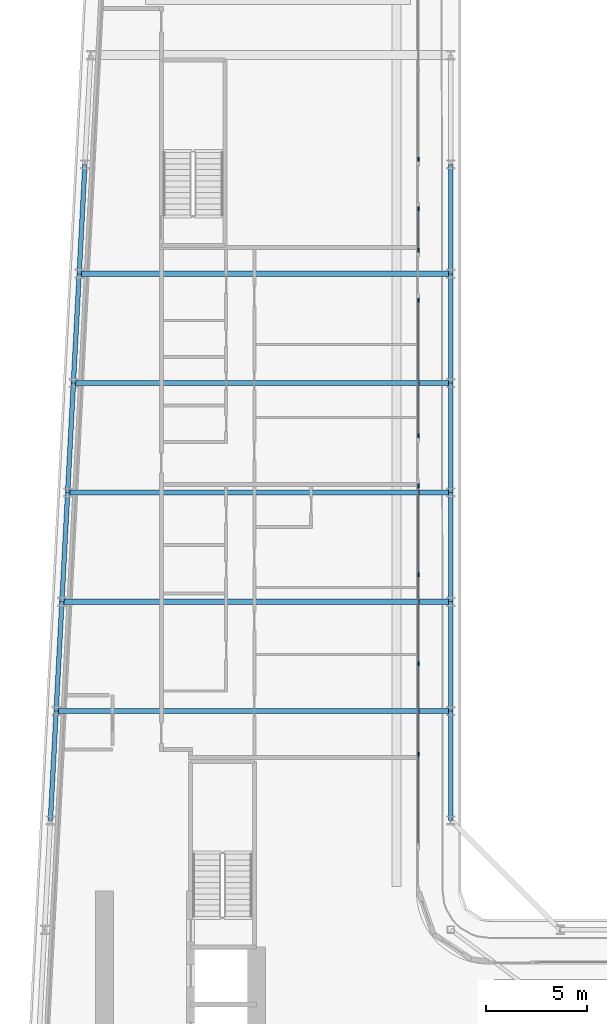
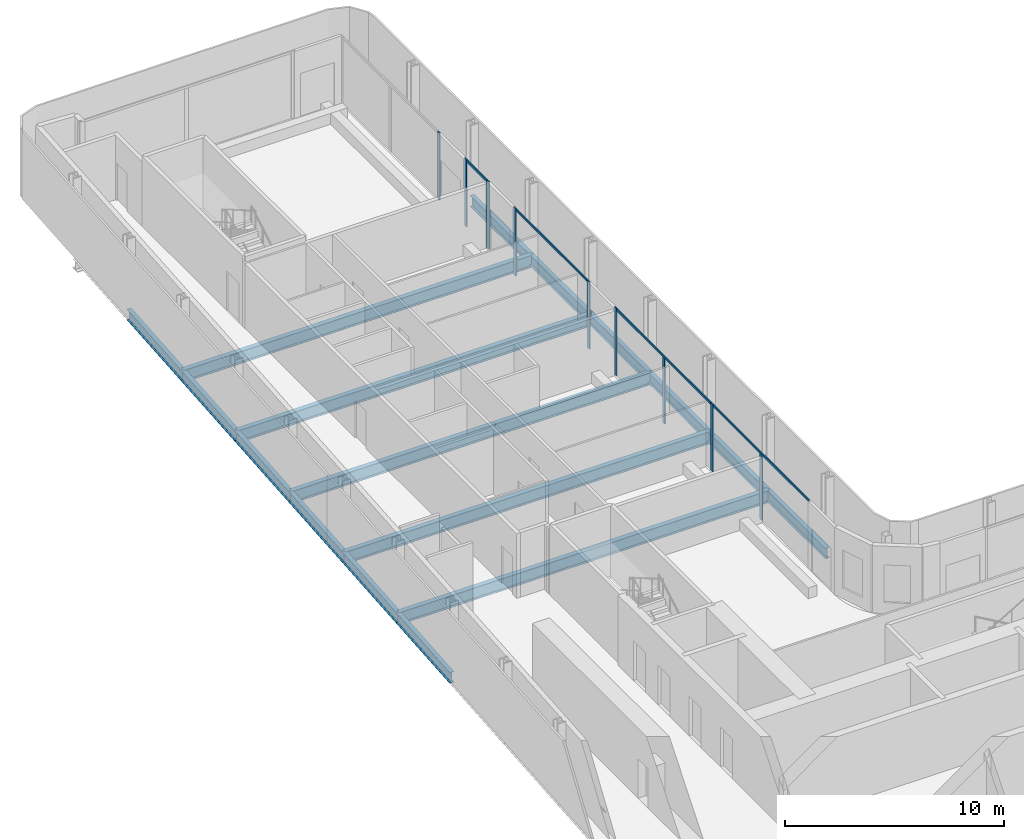
# One storey, part 7 of 26: 17 beams, 13 members, 5 elements without a shape of their own.
"""IFC4 building model written with IfcOpenShell, lengths in metres."""

from ifc_helpers import new_model, si_unit, direction, frame, origin, origin_2d, place, context, subcontext, project, spatial, rectangle, i_section, extrude, material, layer, layer_set, material_profile, profile_set, type_object, element, aggregate, save


model = new_model("IFC4")

# Units and contexts
model_context = context("Model", 3, precision=1e-05, world=origin(), true_north=direction((0.0, 1.0)))
body_context = subcontext(model_context, "Body", "Model", "MODEL_VIEW")
ifc_project = project(units=[si_unit("LENGTHUNIT", "METRE"), si_unit("AREAUNIT", "SQUARE_METRE"), si_unit("VOLUMEUNIT", "CUBIC_METRE"), si_unit("PLANEANGLEUNIT", "RADIAN"), si_unit("MASSUNIT", "GRAM", prefix="KILO")], contexts=[model_context])

# Site, building, storey
site_placement = place(None, origin())
site = spatial("IfcSite", under=ifc_project, at=site_placement, CompositionType="ELEMENT")
building_placement = place(site_placement, origin())
building = spatial("IfcBuilding", under=site, at=building_placement, Name="Kheshtan School and Residences Tower", CompositionType="ELEMENT")
storey_placement = place(building_placement, frame((0.0, 0.0, 105.800048828125)))
storey = spatial("IfcBuildingStorey", under=building, at=storey_placement, Name="L24", CompositionType="ELEMENT", Elevation=105.800048828125)

# Beams
ifc_material_1 = material(Name="Steel ASTM A992 Grade 50", Category="steel")
ifc_material_profile_1 = material_profile(ifc_material_1, i_section(OverallWidth=0.2529296875, OverallDepth=0.677978515625, WebThickness=0.01171875, FlangeThickness=0.016357421875, FilletRadius=0.0146484375, at=origin_2d()), Name="W690x125")
ifc_profile_set_1 = profile_set([ifc_material_profile_1], Name="Steel ASTM A992 Grade 50")
beam_type_1 = type_object("IfcBeamType", Name="Beam FB6 W690x125 ASTM A992 Grade 50", PredefinedType="BEAM", material=ifc_profile_set_1)
beam_1_placement = place(storey_placement, frame((47.60009765625, 78.0, -0.489013671875), z_axis=(-1.0, 0.0, 0.0), x_axis=(0.0, -1.0, 0.0)))
element("IfcBeam", 1, at=beam_1_placement, inside=storey, type_object=beam_type_1, Name="Floor beam C089", PredefinedType="BEAM", context=body_context, shape_type="SweptSolid", body=[
    extrude(i_section(OverallWidth=0.2529296875, OverallDepth=0.677978515625, WebThickness=0.01171875, FlangeThickness=0.016357421875, FilletRadius=0.0146484375, at=origin_2d()), origin(), (0.0, 0.0, 1.0), 18.357177734375),
])
beam_2_placement = place(storey_placement, frame((47.60009765625, 67.199951171875, -0.489013671875), z_axis=(-1.0, 0.0, 0.0), x_axis=(0.0, -1.0, 0.0)))
element("IfcBeam", 2, at=beam_2_placement, inside=storey, type_object=beam_type_1, Name="Floor beam C085", PredefinedType="BEAM", context=body_context, shape_type="SweptSolid", body=[
    extrude(i_section(OverallWidth=0.2529296875, OverallDepth=0.677978515625, WebThickness=0.01171875, FlangeThickness=0.016357421875, FilletRadius=0.0146484375, at=origin_2d()), origin(), (0.0, 0.0, 1.0), 18.926025390625),
])
beam_3_placement = place(storey_placement, frame((47.60009765625, 56.39990234375, -0.489013671875), z_axis=(-1.0, 0.0, 0.0), x_axis=(0.0, -1.0, 0.0)))
element("IfcBeam", 3, at=beam_3_placement, inside=storey, type_object=beam_type_1, Name="Floor beam C081", PredefinedType="BEAM", context=body_context, shape_type="SweptSolid", body=[
    extrude(i_section(OverallWidth=0.2529296875, OverallDepth=0.677978515625, WebThickness=0.01171875, FlangeThickness=0.016357421875, FilletRadius=0.0146484375, at=origin_2d()), origin(), (0.0, 0.0, 1.0), 19.494140625),
])
beam_4_placement = place(storey_placement, frame((28.389892578125, 61.800048828125, -0.489013671875), z_axis=(1.0, 0.0, 0.0), x_axis=(0.0, 1.0, 0.0)))
element("IfcBeam", 4, at=beam_4_placement, inside=storey, type_object=beam_type_1, Name="Floor beam C082", PredefinedType="BEAM", context=body_context, shape_type="SweptSolid", body=[
    extrude(i_section(OverallWidth=0.2529296875, OverallDepth=0.677978515625, WebThickness=0.01171875, FlangeThickness=0.016357421875, FilletRadius=0.0146484375, at=origin_2d()), origin(), (0.0, 0.0, 1.0), 19.210205078125),
])
beam_5_placement = place(storey_placement, frame((28.9580078125, 72.60009765625, -0.489013671875), z_axis=(1.0, 0.0, 0.0), x_axis=(0.0, 1.0, 0.0)))
element("IfcBeam", 5, at=beam_5_placement, inside=storey, type_object=beam_type_1, Name="Floor beam C086", PredefinedType="BEAM", context=body_context, shape_type="SweptSolid", body=[
    extrude(i_section(OverallWidth=0.2529296875, OverallDepth=0.677978515625, WebThickness=0.01171875, FlangeThickness=0.016357421875, FilletRadius=0.0146484375, at=origin_2d()), origin(), (0.0, 0.0, 1.0), 18.64208984375),
])
ifc_material_profile_2 = material_profile(ifc_material_1, i_section(OverallWidth=0.22802734375, OverallDepth=0.60302734375, WebThickness=0.010498046875, FlangeThickness=0.014892578125, FilletRadius=0.013427734375, at=origin_2d()), Name="W610x101")
ifc_profile_set_2 = profile_set([ifc_material_profile_2], Name="Steel ASTM A992 Grade 50")
beam_type_2 = type_object("IfcBeamType", Name="Beam SP2 W610x101 ASTM A992 Grade 50", PredefinedType="BEAM", material=ifc_profile_set_2)
for number, where, z_axis, x_axis, name in (
    (6, (47.60009765625, 83.39990234375, -0.45166015625), (0.0, -1.0, 0.0), (1.0, 0.0, 0.0), "Spandrel beam C091-C089"),
    (7, (47.60009765625, 78.0, -0.45166015625), (0.0, -1.0, 0.0), (1.0, 0.0, 0.0), "Spandrel beam C089-C087"),
):
    element("IfcBeam", number, at=place(storey_placement, frame(where, z_axis=z_axis, x_axis=x_axis)), inside=storey, type_object=beam_type_2, Name=name, PredefinedType="BEAM", context=body_context, shape_type="SweptSolid", body=[
        extrude(i_section(OverallWidth=0.22802734375, OverallDepth=0.60302734375, WebThickness=0.010498046875, FlangeThickness=0.014892578125, FilletRadius=0.013427734375, at=origin_2d()), origin(), (0.0, 0.0, 1.0), 5.39990234375),
    ])
beam_6_placement = place(storey_placement, frame((47.60009765625, 72.60009765625, -0.45166015625), z_axis=(0.0, -1.0, 0.0), x_axis=(1.0, 0.0, 0.0)))
element("IfcBeam", 8, at=beam_6_placement, inside=storey, type_object=beam_type_2, Name="Spandrel beam C087-C085", PredefinedType="BEAM", context=body_context, shape_type="SweptSolid", body=[
    extrude(i_section(OverallWidth=0.22802734375, OverallDepth=0.60302734375, WebThickness=0.010498046875, FlangeThickness=0.014892578125, FilletRadius=0.013427734375, at=origin_2d()), origin(), (0.0, 0.0, 1.0), 5.400146484375),
])
beam_7_placement = place(storey_placement, frame((47.60009765625, 67.199951171875, -0.45166015625), z_axis=(0.0, -1.0, 0.0), x_axis=(1.0, 0.0, 0.0)))
element("IfcBeam", 9, at=beam_7_placement, inside=storey, type_object=beam_type_2, Name="Spandrel beam C085-C083", PredefinedType="BEAM", context=body_context, shape_type="SweptSolid", body=[
    extrude(i_section(OverallWidth=0.22802734375, OverallDepth=0.60302734375, WebThickness=0.010498046875, FlangeThickness=0.014892578125, FilletRadius=0.013427734375, at=origin_2d()), origin(), (0.0, 0.0, 1.0), 5.39990234375),
])
beam_8_placement = place(storey_placement, frame((47.60009765625, 61.800048828125, -0.45166015625), z_axis=(0.0, -1.0, 0.0), x_axis=(1.0, 0.0, 0.0)))
element("IfcBeam", 10, at=beam_8_placement, inside=storey, type_object=beam_type_2, Name="Spandrel beam C083-C081", PredefinedType="BEAM", context=body_context, shape_type="SweptSolid", body=[
    extrude(i_section(OverallWidth=0.22802734375, OverallDepth=0.60302734375, WebThickness=0.010498046875, FlangeThickness=0.014892578125, FilletRadius=0.013427734375, at=origin_2d()), origin(), (0.0, 0.0, 1.0), 5.400146484375),
])
beam_9_placement = place(storey_placement, frame((47.60009765625, 56.39990234375, -0.45166015625), z_axis=(0.0, -1.0, 0.0), x_axis=(1.0, 0.0, 0.0)))
element("IfcBeam", 11, at=beam_9_placement, inside=storey, type_object=beam_type_2, Name="Spandrel beam C081-C079", PredefinedType="BEAM", context=body_context, shape_type="SweptSolid", body=[
    extrude(i_section(OverallWidth=0.22802734375, OverallDepth=0.60302734375, WebThickness=0.010498046875, FlangeThickness=0.014892578125, FilletRadius=0.013427734375, at=origin_2d()), origin(), (0.0, 0.0, 1.0), 5.39990234375),
])
beam_10_placement = place(storey_placement, frame((27.822021484375, 51.0, -0.45166015625), z_axis=(0.05250906864, 0.998620447272, 0.0), x_axis=(-0.998620447272, 0.05250906864, 0.0)))
element("IfcBeam", 12, at=beam_10_placement, inside=storey, type_object=beam_type_2, Name="Spandrel beam C078-C080", PredefinedType="BEAM", context=body_context, shape_type="SweptSolid", body=[
    extrude(i_section(OverallWidth=0.22802734375, OverallDepth=0.60302734375, WebThickness=0.010498046875, FlangeThickness=0.014892578125, FilletRadius=0.013427734375, at=origin_2d()), origin(), (0.0, 0.0, 1.0), 5.407470703125),
])
beam_11_placement = place(storey_placement, frame((28.10595703125, 56.39990234375, -0.45166015625), z_axis=(0.05250670125, 0.998620571751, 0.0), x_axis=(-0.998620571751, 0.05250670125, 0.0)))
element("IfcBeam", 13, at=beam_11_placement, inside=storey, type_object=beam_type_2, Name="Spandrel beam C080-C082", PredefinedType="BEAM", context=body_context, shape_type="SweptSolid", body=[
    extrude(i_section(OverallWidth=0.22802734375, OverallDepth=0.60302734375, WebThickness=0.010498046875, FlangeThickness=0.014892578125, FilletRadius=0.013427734375, at=origin_2d()), origin(), (0.0, 0.0, 1.0), 5.40771484375),
])
beam_12_placement = place(storey_placement, frame((28.389892578125, 61.800048828125, -0.45166015625), z_axis=(0.052554093665, 0.998618078766, 0.0), x_axis=(-0.998618078766, 0.052554093665, 0.0)))
element("IfcBeam", 14, at=beam_12_placement, inside=storey, type_object=beam_type_2, Name="Spandrel beam C082-C084", PredefinedType="BEAM", context=body_context, shape_type="SweptSolid", body=[
    extrude(i_section(OverallWidth=0.22802734375, OverallDepth=0.60302734375, WebThickness=0.010498046875, FlangeThickness=0.014892578125, FilletRadius=0.013427734375, at=origin_2d()), origin(), (0.0, 0.0, 1.0), 5.407470703125),
])
beam_13_placement = place(storey_placement, frame((28.674072265625, 67.199951171875, -0.45166015625), z_axis=(0.05250670125, 0.998620571751, 0.0), x_axis=(-0.998620571751, 0.05250670125, 0.0)))
element("IfcBeam", 15, at=beam_13_placement, inside=storey, type_object=beam_type_2, Name="Spandrel beam C084-C086", PredefinedType="BEAM", context=body_context, shape_type="SweptSolid", body=[
    extrude(i_section(OverallWidth=0.22802734375, OverallDepth=0.60302734375, WebThickness=0.010498046875, FlangeThickness=0.014892578125, FilletRadius=0.013427734375, at=origin_2d()), origin(), (0.0, 0.0, 1.0), 5.40771484375),
])
for number, where, z_axis, x_axis, name in (
    (16, (28.9580078125, 72.60009765625, -0.45166015625), (0.052689166816, 0.998610961136, 0.0), (-0.998610961136, 0.052689166816, 0.0), "Spandrel beam C086-C088"),
    (17, (29.242919921875, 78.0, -0.45166015625), (0.052554093665, 0.998618078766, 0.0), (-0.998618078766, 0.052554093665, 0.0), "Spandrel beam C088-C090"),
):
    element("IfcBeam", number, at=place(storey_placement, frame(where, z_axis=z_axis, x_axis=x_axis)), inside=storey, type_object=beam_type_2, Name=name, PredefinedType="BEAM", context=body_context, shape_type="SweptSolid", body=[
        extrude(i_section(OverallWidth=0.22802734375, OverallDepth=0.60302734375, WebThickness=0.010498046875, FlangeThickness=0.014892578125, FilletRadius=0.013427734375, at=origin_2d()), origin(), (0.0, 0.0, 1.0), 5.407470703125),
    ])

# Curtain wall, member
ifc_material_2 = material(Name="Clear low-e glass in thermally broken aluminium frame", Category="aluminium")
ifc_layer = layer(ifc_material_2, 0.199951171875)
ifc_layer_set = layer_set([ifc_layer], Name="Curtain wall CW-L")
curtain_wall_type = type_object("IfcCurtainWallType", Name="Curtain wall CW-L", PredefinedType="NOTDEFINED", material=ifc_layer_set)
curtain_wall_1_placement = place(storey_placement, origin())
curtain_wall_1 = element("IfcCurtainWall", 18, at=curtain_wall_1_placement, inside=storey, type_object=curtain_wall_type, Name="Curtain wall CWL4b", PredefinedType="NOTDEFINED")
ifc_material_3 = material(Name="Thermally broken aluminium, dark bronze anodised", Category="aluminium")
ifc_material_profile_3 = material_profile(ifc_material_3, rectangle(XDim=0.06005859375, YDim=0.199951171875, at=origin_2d()), Name="CW-L mullion 60x200")
ifc_profile_set_3 = profile_set([ifc_material_profile_3], Name="Thermally broken aluminium, dark bronze anodised")
member_type_1 = type_object("IfcMemberType", Name="CW-L mullion 60x200", PredefinedType="MULLION", material=ifc_profile_set_3)
member_1_placement = place(storey_placement, frame((46.0, 83.66259765625, 0.0), z_axis=(0.0, 0.0, 1.0), x_axis=(1.0, 0.0, 0.0)))
member_1 = element("IfcMember", 19, at=member_1_placement, type_object=member_type_1, Name="CWL4b mullion 3", PredefinedType="MULLION", context=body_context, shape_type="SweptSolid", body=[
    extrude(rectangle(XDim=0.06005859375, YDim=0.199951171875, at=origin_2d()), origin(), (0.0, 0.0, 1.0), 3.75),
])
aggregate(curtain_wall_1, [member_1])

# Curtain wall, members
curtain_wall_2_placement = place(storey_placement, origin())
curtain_wall_2 = element("IfcCurtainWall", 20, at=curtain_wall_2_placement, inside=storey, type_object=curtain_wall_type, Name="Curtain wall CWL4c", PredefinedType="NOTDEFINED")
member_2_placement = place(storey_placement, frame((46.0, 81.202392578125, 0.0), z_axis=(0.0, 0.0, 1.0), x_axis=(1.0, 0.0, 0.0)))
member_2 = element("IfcMember", 21, at=member_2_placement, type_object=member_type_1, Name="CWL4c mullion 1", PredefinedType="MULLION", context=body_context, shape_type="SweptSolid", body=[
    extrude(rectangle(XDim=0.06005859375, YDim=0.199951171875, at=origin_2d()), origin(), (0.0, 0.0, 1.0), 3.75),
])
member_3_placement = place(storey_placement, frame((46.0, 79.16259765625, 0.0), z_axis=(0.0, 0.0, 1.0), x_axis=(1.0, 0.0, 0.0)))
member_3 = element("IfcMember", 22, at=member_3_placement, type_object=member_type_1, Name="CWL4c mullion 2", PredefinedType="MULLION", context=body_context, shape_type="SweptSolid", body=[
    extrude(rectangle(XDim=0.06005859375, YDim=0.199951171875, at=origin_2d()), origin(), (0.0, 0.0, 1.0), 3.75),
])

curtain_wall_3_placement = place(storey_placement, origin())
curtain_wall_3 = element("IfcCurtainWall", 23, at=curtain_wall_3_placement, inside=storey, type_object=curtain_wall_type, Name="Curtain wall CWL4d", PredefinedType="NOTDEFINED")
member_4_placement = place(storey_placement, frame((46.0, 76.702392578125, 0.0), z_axis=(0.0, 0.0, 1.0), x_axis=(1.0, 0.0, 0.0)))
member_4 = element("IfcMember", 24, at=member_4_placement, type_object=member_type_1, Name="CWL4d mullion 1", PredefinedType="MULLION", context=body_context, shape_type="SweptSolid", body=[
    extrude(rectangle(XDim=0.06005859375, YDim=0.199951171875, at=origin_2d()), origin(), (0.0, 0.0, 1.0), 3.75),
])
member_5_placement = place(storey_placement, frame((46.0, 69.9951171875, 0.0), z_axis=(0.0, 0.0, 1.0), x_axis=(1.0, 0.0, 0.0)))
member_5 = element("IfcMember", 25, at=member_5_placement, type_object=member_type_1, Name="CWL4d mullion 2", PredefinedType="MULLION", context=body_context, shape_type="SweptSolid", body=[
    extrude(rectangle(XDim=0.06005859375, YDim=0.199951171875, at=origin_2d()), origin(), (0.0, 0.0, 1.0), 3.75),
])

curtain_wall_4_placement = place(storey_placement, origin())
curtain_wall_4 = element("IfcCurtainWall", 26, at=curtain_wall_4_placement, inside=storey, type_object=curtain_wall_type, Name="Curtain wall CWL4b", PredefinedType="NOTDEFINED")
member_6_placement = place(storey_placement, frame((46.0, 67.534912109375, 0.0), z_axis=(0.0, 0.0, 1.0), x_axis=(1.0, 0.0, 0.0)))
member_6 = element("IfcMember", 27, at=member_6_placement, type_object=member_type_1, Name="CWL4b mullion 1", PredefinedType="MULLION", context=body_context, shape_type="SweptSolid", body=[
    extrude(rectangle(XDim=0.06005859375, YDim=0.199951171875, at=origin_2d()), origin(), (0.0, 0.0, 1.0), 3.75),
])
member_7_placement = place(storey_placement, frame((46.0, 63.13134765625, 0.0), z_axis=(0.0, 0.0, 1.0), x_axis=(1.0, 0.0, 0.0)))
member_7 = element("IfcMember", 28, at=member_7_placement, type_object=member_type_1, Name="CWL4b mullion 2", PredefinedType="MULLION", context=body_context, shape_type="SweptSolid", body=[
    extrude(rectangle(XDim=0.06005859375, YDim=0.199951171875, at=origin_2d()), origin(), (0.0, 0.0, 1.0), 3.6298828125),
])
member_8_placement = place(storey_placement, frame((46.0, 58.7275390625, 0.0), z_axis=(0.0, 0.0, 1.0), x_axis=(1.0, 0.0, 0.0)))
member_8 = element("IfcMember", 29, at=member_8_placement, type_object=member_type_1, Name="CWL4b mullion 3", PredefinedType="MULLION", context=body_context, shape_type="SweptSolid", body=[
    extrude(rectangle(XDim=0.06005859375, YDim=0.199951171875, at=origin_2d()), origin(), (0.0, 0.0, 1.0), 3.75),
])

# Curtain wall, member
curtain_wall_5_placement = place(storey_placement, origin())
curtain_wall_5 = element("IfcCurtainWall", 30, at=curtain_wall_5_placement, inside=storey, type_object=curtain_wall_type, Name="Curtain wall CWL4b", PredefinedType="NOTDEFINED")
member_9_placement = place(storey_placement, frame((46.0, 54.263671875, 0.0), z_axis=(0.0, 0.0, 1.0), x_axis=(1.0, 0.0, 0.0)))
member_9 = element("IfcMember", 31, at=member_9_placement, type_object=member_type_1, Name="CWL4b mullion 2", PredefinedType="MULLION", context=body_context, shape_type="SweptSolid", body=[
    extrude(rectangle(XDim=0.06005859375, YDim=0.199951171875, at=origin_2d()), origin(), (0.0, 0.0, 1.0), 3.6298828125),
])

# Member
ifc_material_profile_4 = material_profile(ifc_material_3, rectangle(XDim=0.06005859375, YDim=0.1201171875, at=origin_2d()), Name="CW-L transom 60x120")
ifc_profile_set_4 = profile_set([ifc_material_profile_4], Name="Thermally broken aluminium, dark bronze anodised")
member_type_2 = type_object("IfcMemberType", Name="CW-L transom 60x120", PredefinedType="USERDEFINED", material=ifc_profile_set_4)
member_10_placement = place(storey_placement, frame((46.0, 81.172607421875, 3.68994140625), z_axis=(0.0, -1.0, 0.0), x_axis=(1.0, 0.0, 0.0)))
member_10 = element("IfcMember", 32, at=member_10_placement, type_object=member_type_2, Name="CWL4c transom 1", ObjectType="TRANSOM", PredefinedType="USERDEFINED", context=body_context, shape_type="SweptSolid", body=[
    extrude(rectangle(XDim=0.06005859375, YDim=0.1201171875, at=origin_2d()), origin(), (0.0, 0.0, 1.0), 1.980224609375),
])

aggregate(curtain_wall_2, [member_2, member_3, member_10])

member_11_placement = place(storey_placement, frame((46.0, 76.672607421875, 3.68994140625), z_axis=(0.0, -1.0, 0.0), x_axis=(1.0, 0.0, 0.0)))
member_11 = element("IfcMember", 33, at=member_11_placement, type_object=member_type_2, Name="CWL4d transom 1", ObjectType="TRANSOM", PredefinedType="USERDEFINED", context=body_context, shape_type="SweptSolid", body=[
    extrude(rectangle(XDim=0.06005859375, YDim=0.1201171875, at=origin_2d()), origin(), (0.0, 0.0, 1.0), 6.647705078125),
])

aggregate(curtain_wall_3, [member_4, member_5, member_11])

member_12_placement = place(storey_placement, frame((46.0, 67.5048828125, 3.68994140625), z_axis=(0.0, -1.0, 0.0), x_axis=(1.0, 0.0, 0.0)))
member_12 = element("IfcMember", 34, at=member_12_placement, type_object=member_type_2, Name="CWL4b transom 1", ObjectType="TRANSOM", PredefinedType="USERDEFINED", context=body_context, shape_type="SweptSolid", body=[
    extrude(rectangle(XDim=0.06005859375, YDim=0.1201171875, at=origin_2d()), origin(), (0.0, 0.0, 1.0), 8.747314453125),
])

aggregate(curtain_wall_4, [member_6, member_7, member_8, member_12])

member_13_placement = place(storey_placement, frame((46.0, 58.697509765625, 3.68994140625), z_axis=(0.0, -1.0, 0.0), x_axis=(1.0, 0.0, 0.0)))
member_13 = element("IfcMember", 35, at=member_13_placement, type_object=member_type_2, Name="CWL4b transom 1", ObjectType="TRANSOM", PredefinedType="USERDEFINED", context=body_context, shape_type="SweptSolid", body=[
    extrude(rectangle(XDim=0.06005859375, YDim=0.1201171875, at=origin_2d()), origin(), (0.0, 0.0, 1.0), 8.8076171875),
])

aggregate(curtain_wall_5, [member_9, member_13])

save(model, "model.ifc")
